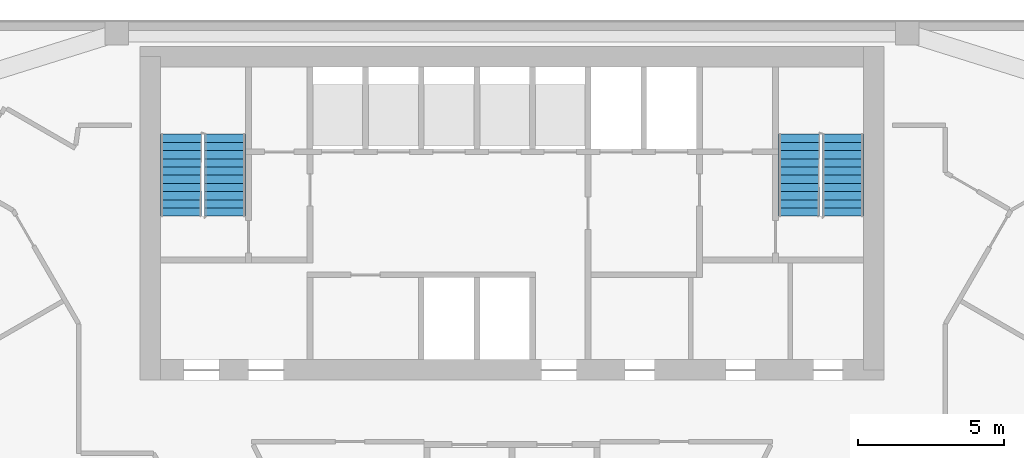
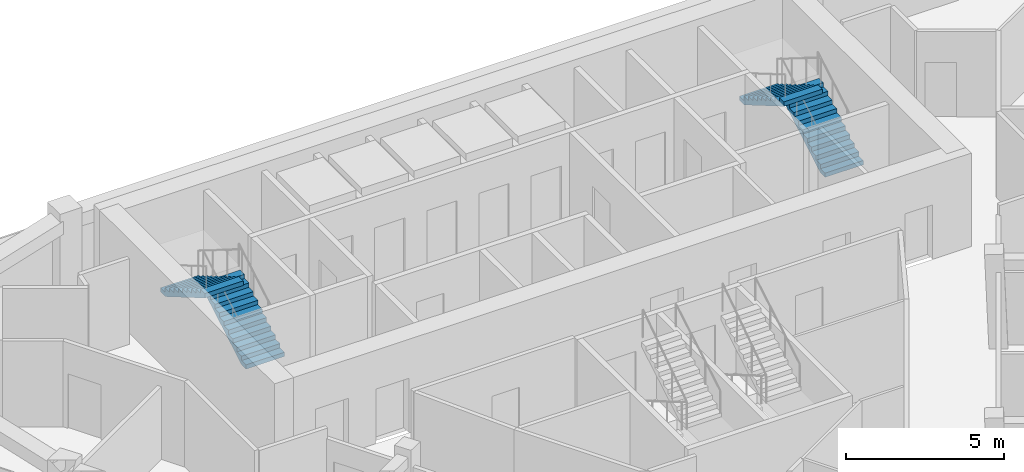
# One storey, part 11 of 13: 4 stair flights, 2 elements without a shape of their own.
"""IFC4 building model written with IfcOpenShell, lengths in metres."""

from ifc_helpers import new_model, si_unit, direction, frame, origin, place, context, subcontext, project, spatial, polyline, outline, extrude, material, type_object, element, aggregate, save


model = new_model("IFC4")

# Units and contexts
model_context = context("Model", 3, precision=1e-05, world=origin(), true_north=direction((0.0, 1.0)))
body_context = subcontext(model_context, "Body", "Model", "MODEL_VIEW")
ifc_project = project(units=[si_unit("LENGTHUNIT", "METRE"), si_unit("AREAUNIT", "SQUARE_METRE"), si_unit("VOLUMEUNIT", "CUBIC_METRE"), si_unit("PLANEANGLEUNIT", "RADIAN"), si_unit("MASSUNIT", "GRAM", prefix="KILO")], contexts=[model_context])

# Site, building, storey
site_placement = place(None, origin())
site = spatial("IfcSite", under=ifc_project, at=site_placement, CompositionType="ELEMENT")
building_placement = place(site_placement, origin())
building = spatial("IfcBuilding", under=site, at=building_placement, Name="Altiplano Prism Tower", CompositionType="ELEMENT")
storey_placement = place(building_placement, frame((0.0, 0.0, 208.800048828125)))
storey = spatial("IfcBuildingStorey", under=building, at=storey_placement, Name="L54", CompositionType="ELEMENT", Elevation=208.800048828125)

# Stair, stair flights
ifc_material = material(Name="Concrete C40/50", Category="concrete")
stair_type = type_object("IfcStairType", Name="Exit stair 1400", PredefinedType="HALF_TURN_STAIR", material=ifc_material)
stair_1_placement = place(storey_placement, origin())
stair_1 = element("IfcStair", 1, at=stair_1_placement, inside=storey, type_object=stair_type, Name="L54 Exit Stair 1", PredefinedType="HALF_TURN_STAIR")
stair_flight_type = type_object("IfcStairFlightType", Name="Stair flight concrete 150", PredefinedType="STRAIGHT", material=ifc_material)
stair_flight_1_placement = place(storey_placement, frame((75.199951171875, 98.300048828125, 0.0), z_axis=(0.0, 0.0, 1.0), x_axis=(0.0, 1.0, 0.0)))
stair_flight_1 = element("IfcStairFlight", 2, at=stair_flight_1_placement, type_object=stair_flight_type, Name="ST1 flight 1", NumberOfRisers=11, NumberOfTreads=10, PredefinedType="STRAIGHT", RiserHeight=0.163636364, TreadLength=0.28, context=body_context, shape_type="SweptSolid", body=[
    extrude(outline(polyline([(0.0, 0.0), (0.0, 0.16357421875), (0.280029296875, 0.16357421875), (0.280029296875, 0.327392578125), (0.56005859375, 0.327392578125), (0.56005859375, 0.490966796875), (0.840087890625, 0.490966796875), (0.840087890625, 0.654541015625), (1.1201171875, 0.654541015625), (1.1201171875, 0.818115234375), (1.39990234375, 0.818115234375), (1.39990234375, 0.98193359375), (1.679931640625, 0.98193359375), (1.679931640625, 1.1455078125), (1.9599609375, 1.1455078125), (1.9599609375, 1.30908203125), (2.239990234375, 1.30908203125), (2.239990234375, 1.47265625), (2.52001953125, 1.47265625), (2.52001953125, 1.636474609375), (2.800048828125, 1.636474609375), (2.800048828125, 1.800048828125), (2.800048828125, 1.462646484375), (0.297119140625, 0.0), (0.0, 0.0)])), frame((0.0, 0.699951171875, 0.0), z_axis=(0.0, -1.0, 0.0), x_axis=(1.0, 0.0, 0.0)), (0.0, 0.0, 1.0), 1.39990234375),
])
stair_flight_2_placement = place(storey_placement, frame((73.699951171875, 101.10009765625, 1.800048828125), z_axis=(0.0, 0.0, 1.0), x_axis=(0.0, -1.0, 0.0)))
stair_flight_2 = element("IfcStairFlight", 3, at=stair_flight_2_placement, type_object=stair_flight_type, Name="ST1 flight 2", NumberOfRisers=11, NumberOfTreads=10, PredefinedType="STRAIGHT", RiserHeight=0.163636364, TreadLength=0.28, context=body_context, shape_type="SweptSolid", body=[
    extrude(outline(polyline([(0.0, 0.0), (0.0, 0.16357421875), (0.280029296875, 0.16357421875), (0.280029296875, 0.327392578125), (0.56005859375, 0.327392578125), (0.56005859375, 0.490966796875), (0.840087890625, 0.490966796875), (0.840087890625, 0.654541015625), (1.1201171875, 0.654541015625), (1.1201171875, 0.818115234375), (1.39990234375, 0.818115234375), (1.39990234375, 0.98193359375), (1.679931640625, 0.98193359375), (1.679931640625, 1.1455078125), (1.9599609375, 1.1455078125), (1.9599609375, 1.30908203125), (2.239990234375, 1.30908203125), (2.239990234375, 1.47265625), (2.52001953125, 1.47265625), (2.52001953125, 1.636474609375), (2.800048828125, 1.636474609375), (2.800048828125, 1.800048828125), (2.800048828125, 1.462646484375), (0.297119140625, 0.0), (0.0, 0.0)])), frame((0.0, 0.699951171875, 0.0), z_axis=(0.0, -1.0, 0.0), x_axis=(1.0, 0.0, 0.0)), (0.0, 0.0, 1.0), 1.39990234375),
])
aggregate(stair_1, [stair_flight_1, stair_flight_2])

stair_2_placement = place(storey_placement, origin())
stair_2 = element("IfcStair", 4, at=stair_2_placement, inside=storey, type_object=stair_type, Name="L54 Exit Stair 2", PredefinedType="HALF_TURN_STAIR")
stair_flight_3_placement = place(storey_placement, frame((96.300048828125, 98.300048828125, 0.0), z_axis=(0.0, 0.0, 1.0), x_axis=(0.0, 1.0, 0.0)))
stair_flight_3 = element("IfcStairFlight", 5, at=stair_flight_3_placement, type_object=stair_flight_type, Name="ST2 flight 1", NumberOfRisers=11, NumberOfTreads=10, PredefinedType="STRAIGHT", RiserHeight=0.163636364, TreadLength=0.28, context=body_context, shape_type="SweptSolid", body=[
    extrude(outline(polyline([(0.0, 0.0), (0.0, 0.16357421875), (0.280029296875, 0.16357421875), (0.280029296875, 0.327392578125), (0.56005859375, 0.327392578125), (0.56005859375, 0.490966796875), (0.840087890625, 0.490966796875), (0.840087890625, 0.654541015625), (1.1201171875, 0.654541015625), (1.1201171875, 0.818115234375), (1.39990234375, 0.818115234375), (1.39990234375, 0.98193359375), (1.679931640625, 0.98193359375), (1.679931640625, 1.1455078125), (1.9599609375, 1.1455078125), (1.9599609375, 1.30908203125), (2.239990234375, 1.30908203125), (2.239990234375, 1.47265625), (2.52001953125, 1.47265625), (2.52001953125, 1.636474609375), (2.800048828125, 1.636474609375), (2.800048828125, 1.800048828125), (2.800048828125, 1.462646484375), (0.297119140625, 0.0), (0.0, 0.0)])), frame((0.0, 0.699951171875, 0.0), z_axis=(0.0, -1.0, 0.0), x_axis=(1.0, 0.0, 0.0)), (0.0, 0.0, 1.0), 1.39990234375),
])
stair_flight_4_placement = place(storey_placement, frame((94.800048828125, 101.10009765625, 1.800048828125), z_axis=(0.0, 0.0, 1.0), x_axis=(0.0, -1.0, 0.0)))
stair_flight_4 = element("IfcStairFlight", 6, at=stair_flight_4_placement, type_object=stair_flight_type, Name="ST2 flight 2", NumberOfRisers=11, NumberOfTreads=10, PredefinedType="STRAIGHT", RiserHeight=0.163636364, TreadLength=0.28, context=body_context, shape_type="SweptSolid", body=[
    extrude(outline(polyline([(0.0, 0.0), (0.0, 0.16357421875), (0.280029296875, 0.16357421875), (0.280029296875, 0.327392578125), (0.56005859375, 0.327392578125), (0.56005859375, 0.490966796875), (0.840087890625, 0.490966796875), (0.840087890625, 0.654541015625), (1.1201171875, 0.654541015625), (1.1201171875, 0.818115234375), (1.39990234375, 0.818115234375), (1.39990234375, 0.98193359375), (1.679931640625, 0.98193359375), (1.679931640625, 1.1455078125), (1.9599609375, 1.1455078125), (1.9599609375, 1.30908203125), (2.239990234375, 1.30908203125), (2.239990234375, 1.47265625), (2.52001953125, 1.47265625), (2.52001953125, 1.636474609375), (2.800048828125, 1.636474609375), (2.800048828125, 1.800048828125), (2.800048828125, 1.462646484375), (0.297119140625, 0.0), (0.0, 0.0)])), frame((0.0, 0.699951171875, 0.0), z_axis=(0.0, -1.0, 0.0), x_axis=(1.0, 0.0, 0.0)), (0.0, 0.0, 1.0), 1.39990234375),
])
aggregate(stair_2, [stair_flight_3, stair_flight_4])

save(model, "model.ifc")
